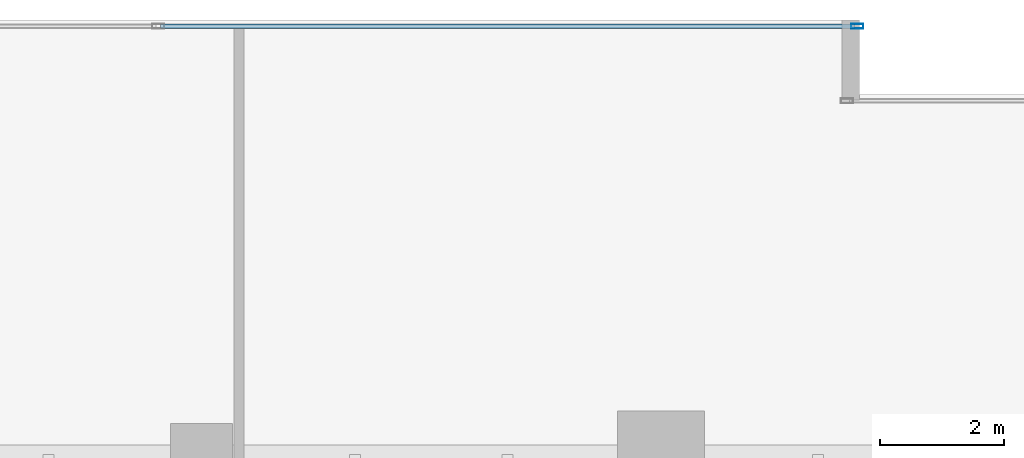
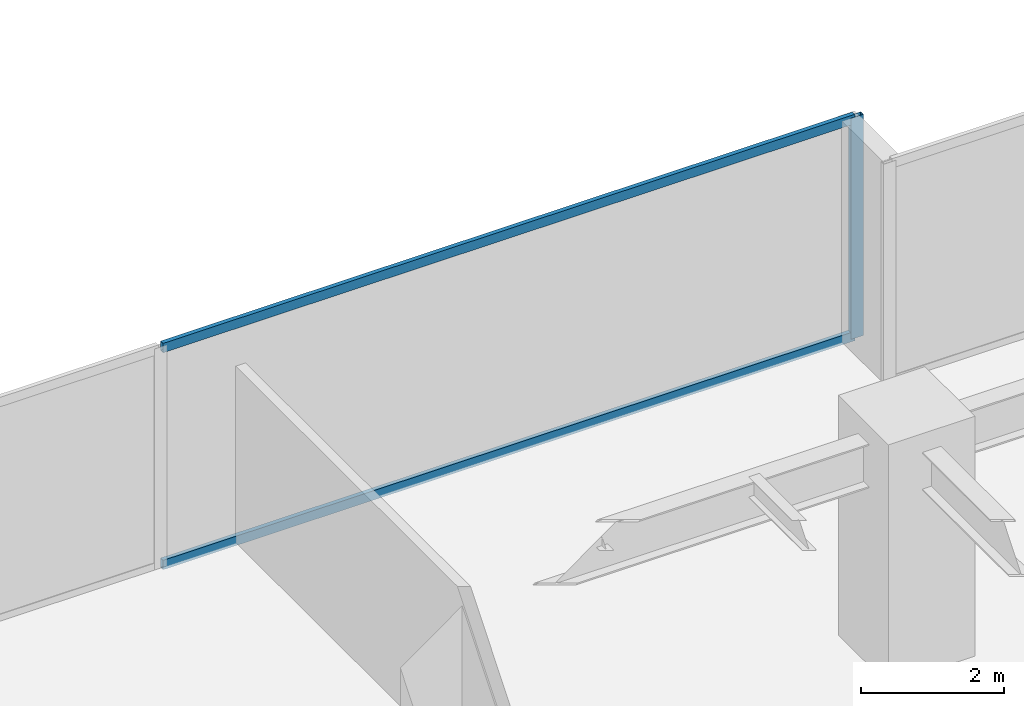
# One storey, part 16 of 35: 3 members, 1 element without a shape of its own.
"""IFC4 building model written with IfcOpenShell, lengths in metres."""

from ifc_helpers import new_model, si_unit, direction, frame, origin, origin_2d, place, context, subcontext, project, spatial, hollow_rectangle, extrude, source, transform, mapped, material, layer, layer_set, material_profile, profile_set, type_object, type_shapes, element, aggregate, save


model = new_model("IFC4")

# Units and contexts
model_context = context("Model", 3, precision=1e-05, world=origin(), true_north=direction((0.0, 1.0)))
body_context = subcontext(model_context, "Body", "Model", "MODEL_VIEW")
ifc_project = project(units=[si_unit("LENGTHUNIT", "METRE"), si_unit("AREAUNIT", "SQUARE_METRE"), si_unit("VOLUMEUNIT", "CUBIC_METRE"), si_unit("PLANEANGLEUNIT", "RADIAN"), si_unit("MASSUNIT", "GRAM", prefix="KILO")], contexts=[model_context])

# Site, building, storey
site_placement = place(None, origin())
site = spatial("IfcSite", under=ifc_project, at=site_placement, CompositionType="ELEMENT")
building_placement = place(site_placement, origin())
building = spatial("IfcBuilding", under=site, at=building_placement, Name="Haelvirn Gate Laboratories", CompositionType="ELEMENT")
storey_placement = place(building_placement, frame((0.0, 0.0, 66.199951171875)))
storey = spatial("IfcBuildingStorey", under=building, at=storey_placement, Name="L16", CompositionType="ELEMENT", Elevation=66.199951171875)

# Curtain wall, members
ifc_material_1 = material(Name="Anodised bronze unitised aluminium & triple low-E glass", Category="aluminium")
ifc_layer = layer(ifc_material_1, 0.18408203125, Name="CW-SYS-2")
ifc_layer_set = layer_set([ifc_layer], Name="Anodised bronze unitised aluminium & triple low-E glass")
curtain_wall_type = type_object("IfcCurtainWallType", Name="CW-SYS-2", PredefinedType="NOTDEFINED", material=ifc_layer_set)
curtain_wall_placement = place(storey_placement, origin())
curtain_wall = element("IfcCurtainWall", 1, at=curtain_wall_placement, inside=storey, type_object=curtain_wall_type, Name="L16 Unitised Curtain Wall CW-L16-P0-E14-1", PredefinedType="NOTDEFINED")
ifc_material_2 = material(Name="Extruded aluminium 6063-T6 (anodised bronze)", Category="aluminium")
ifc_material_profile_1 = material_profile(ifc_material_2, hollow_rectangle(XDim=0.074951171875, YDim=0.199951171875, WallThickness=0.0048828125, at=origin_2d()), Name="CWM-200x75x5")
ifc_profile_set_1 = profile_set([ifc_material_profile_1], Name="Extruded aluminium 6063-T6 (anodised bronze)")
member_type_1 = type_object("IfcMemberType", Name="CWM-T200", PredefinedType="MULLION", material=ifc_profile_set_1)
shared_shape_1 = source(origin(), body_context, "Body", "SweptSolid", [
    extrude(hollow_rectangle(XDim=0.074951171875, YDim=0.199951171875, WallThickness=0.0048828125, at=origin_2d()), origin(), (0.0, 0.0, 1.0), 3.780029296875),
])
type_shapes(member_type_1, [shared_shape_1])
member_1_placement = place(storey_placement, frame((25.362548828125, 48.5, 0.0), z_axis=(0.0, 0.0, 1.0), x_axis=(0.0, 1.0, 0.0)))
member_1 = element("IfcMember", 2, at=member_1_placement, type_object=member_type_1, Name="CW2 mullion 3", PredefinedType="MULLION", context=body_context, shape_type="MappedRepresentation", body=[
    mapped(shared_shape_1, transform((0.0, 0.0, 0.0), scale=1.0)),
])
ifc_material_profile_2 = material_profile(ifc_material_2, hollow_rectangle(XDim=0.070068359375, YDim=0.159912109375, WallThickness=0.0048828125, at=origin_2d()), Name="CWT-160x70x5")
ifc_profile_set_2 = profile_set([ifc_material_profile_2], Name="Extruded aluminium 6063-T6 (anodised bronze)")
member_type_2 = type_object("IfcMemberType", Name="CWT-T160", PredefinedType="USERDEFINED", material=ifc_profile_set_2)
shared_shape_2 = source(origin(), body_context, "Body", "SweptSolid", [
    extrude(hollow_rectangle(XDim=0.070068359375, YDim=0.159912109375, WallThickness=0.0048828125, at=origin_2d()), origin(), (0.0, 0.0, 1.0), 11.1875),
])
type_shapes(member_type_2, [shared_shape_2])
member_2_placement = place(storey_placement, frame((14.137451171875, 48.5, 0.03515625), z_axis=(1.0, 0.0, 0.0), x_axis=(0.0, 1.0, 0.0)))
member_2 = element("IfcMember", 3, at=member_2_placement, type_object=member_type_2, Name="CW2 transom 2.1", ObjectType="TRANSOM", PredefinedType="USERDEFINED", context=body_context, shape_type="MappedRepresentation", body=[
    mapped(shared_shape_2, transform((0.0, 0.0, 0.0), scale=1.0)),
])
member_3_placement = place(storey_placement, frame((14.137451171875, 48.5, 3.7451171875), z_axis=(1.0, 0.0, 0.0), x_axis=(0.0, 1.0, 0.0)))
member_3 = element("IfcMember", 4, at=member_3_placement, type_object=member_type_2, Name="CW2 transom 2.2", ObjectType="TRANSOM", PredefinedType="USERDEFINED", context=body_context, shape_type="MappedRepresentation", body=[
    mapped(shared_shape_2, transform((0.0, 0.0, 0.0), scale=1.0)),
])
aggregate(curtain_wall, [member_1, member_2, member_3])

save(model, "model.ifc")
